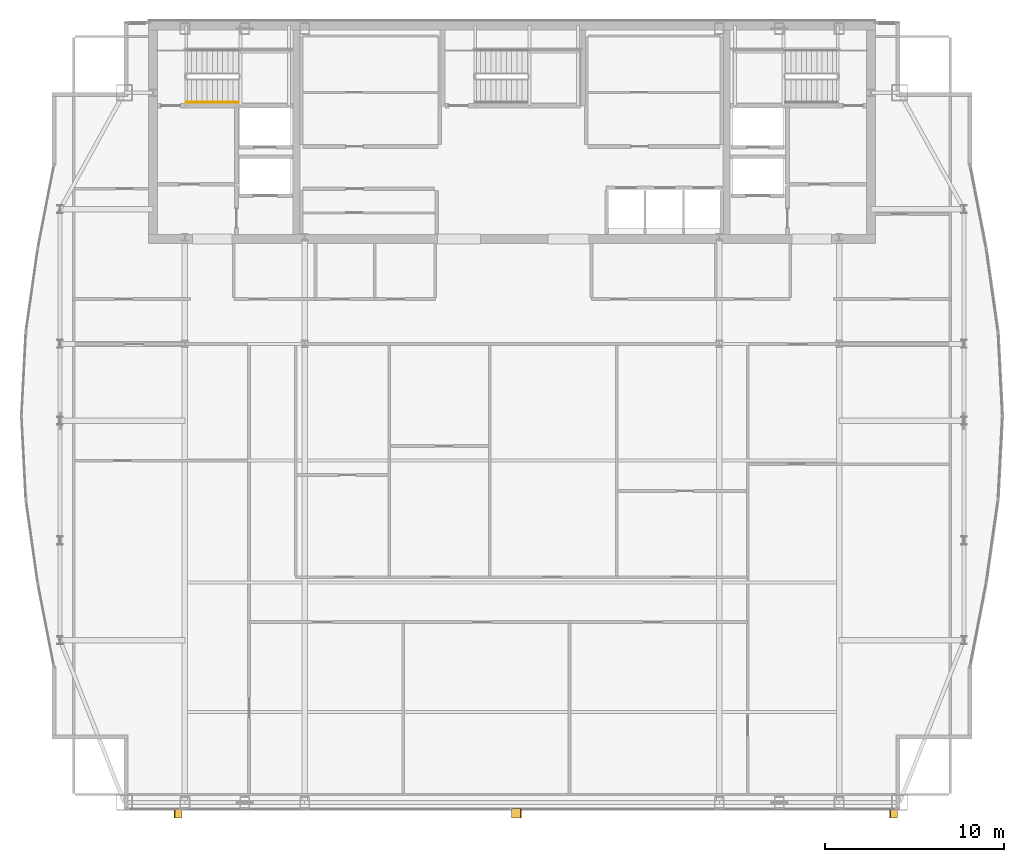
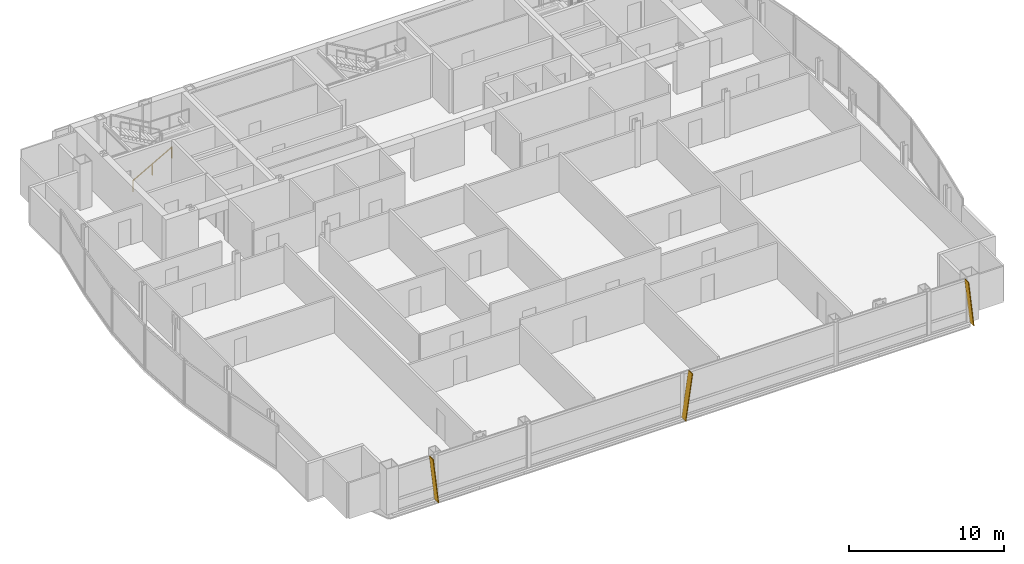
# One storey, part 26 of 27: 3 shading devices, 1 railing.
"""IFC4 building model written with IfcOpenShell, lengths in metres."""

from ifc_helpers import new_model, si_unit, direction, frame, origin, origin_2d, place, context, subcontext, project, spatial, polyline, rectangle, outline, extrude, material, layer, layer_set, type_object, element, save


model = new_model("IFC4")

# Units and contexts
model_context = context("Model", 3, precision=1e-05, world=origin(), true_north=direction((0.0, 1.0)))
body_context = subcontext(model_context, "Body", "Model", "MODEL_VIEW")
ifc_project = project(units=[si_unit("LENGTHUNIT", "METRE"), si_unit("AREAUNIT", "SQUARE_METRE"), si_unit("VOLUMEUNIT", "CUBIC_METRE"), si_unit("PLANEANGLEUNIT", "RADIAN"), si_unit("MASSUNIT", "GRAM", prefix="KILO")], contexts=[model_context])

# Site, building, storey
site_placement = place(None, origin())
site = spatial("IfcSite", under=ifc_project, at=site_placement, CompositionType="ELEMENT")
building_placement = place(site_placement, origin())
building = spatial("IfcBuilding", under=site, at=building_placement, Name="Khoronbel Lancet Exchange", CompositionType="ELEMENT")
storey_placement = place(building_placement, frame((0.0, 0.0, 332.60009765625)))
storey = spatial("IfcBuildingStorey", under=building, at=storey_placement, Name="L86", CompositionType="ELEMENT", Elevation=332.60009765625)

# Railing
ifc_material_1 = material(Name="Brushed Stainless Steel 316", Category="steel")
railing_type = type_object("IfcRailingType", Name="RL-STH92", PredefinedType="HANDRAIL", material=ifc_material_1)
railing_placement = place(storey_placement, frame((18.300048828125, 49.169921875, 0.16357421875)))
element("IfcRailing", 1, at=railing_placement, inside=storey, type_object=railing_type, Name="L86 ST1 stair handrail 1", PredefinedType="HANDRAIL", context=body_context, shape_type="SweptSolid", body=[
    extrude(rectangle(XDim=0.048095703125, YDim=0.048095703125, at=origin_2d()), frame((0.0, 0.0, 0.8759765625), z_axis=(0.870928581787, 0.0, 0.491409610636), x_axis=(0.0, 1.0, 0.0)), (0.0, 0.0, 1.0), 3.32958984375),
    extrude(rectangle(XDim=0.0419921875, YDim=0.0419921875, at=origin_2d()), origin(), (0.0, 0.0, 1.0), 0.851806640625),
    extrude(rectangle(XDim=0.0419921875, YDim=0.0419921875, at=origin_2d()), frame((1.449951171875, 0.0, 0.818115234375)), (0.0, 0.0, 1.0), 0.851806640625),
    extrude(rectangle(XDim=0.0419921875, YDim=0.0419921875, at=origin_2d()), frame((2.89990234375, 0.0, 1.63623046875)), (0.0, 0.0, 1.0), 0.851806640625),
])

# Shading devices
ifc_material_2 = material(Name="Bronze-Anodised Aluminium 6063-T6", Category="aluminium")
ifc_layer = layer(ifc_material_2, 0.054931640625, Name="Bronze-Anodised Aluminium 6063-T6")
ifc_layer_set = layer_set([ifc_layer], Name="Bronze-Anodised Aluminium 6063-T6")
shading_device_type = type_object("IfcShadingDeviceType", Name="SHD-FIN1", PredefinedType="USERDEFINED", material=ifc_layer_set)
shading_device_1_placement = place(storey_placement, frame((18.072509765625, 9.81005859375, -0.080078125), z_axis=(0.993900347655, 0.0, 0.110281906632), x_axis=(0.0, -1.0, 0.0)))
element("IfcShadingDevice", 2, at=shading_device_1_placement, inside=storey, type_object=shading_device_type, Name="Slanted bronze solar fin CW-L86-SWV-1", ObjectType="FIN", PredefinedType="USERDEFINED", context=body_context, shape_type="SweptSolid", body=[
    extrude(outline(polyline([(0.0, 0.0), (0.52001953125, 0.0), (0.52001953125, -3.581787109375), (0.0, -3.581787109375), (0.0, 0.0)])), origin(), (0.0, 0.0, -1.0), 0.054931640625),
])
shading_device_2_placement = place(storey_placement, frame((36.422607421875, 9.81005859375, -0.080078125), z_axis=(-0.990092925251, 0.0, 0.140413672296), x_axis=(0.0, -1.0, 0.0)))
element("IfcShadingDevice", 3, at=shading_device_2_placement, inside=storey, type_object=shading_device_type, Name="Slanted bronze solar fin CW-L86-SCV-1", ObjectType="FIN", PredefinedType="USERDEFINED", context=body_context, shape_type="SweptSolid", body=[
    extrude(outline(polyline([(0.0, 0.0), (0.52001953125, 0.0), (0.52001953125, 3.595703125), (0.0, 3.595703125), (0.0, 0.0)])), origin(), (0.0, 0.0, -1.0), 0.054931640625),
])
shading_device_3_placement = place(storey_placement, frame((57.9326171875, 9.81005859375, -0.080078125), z_axis=(0.993900347655, 0.0, 0.110281906632), x_axis=(0.0, -1.0, 0.0)))
element("IfcShadingDevice", 4, at=shading_device_3_placement, inside=storey, type_object=shading_device_type, Name="Slanted bronze solar fin CW-L86-SEV-1", ObjectType="FIN", PredefinedType="USERDEFINED", context=body_context, shape_type="SweptSolid", body=[
    extrude(outline(polyline([(0.0, 0.0), (0.52001953125, 0.0), (0.52001953125, -3.581787109375), (0.0, -3.581787109375), (0.0, 0.0)])), origin(), (0.0, 0.0, -1.0), 0.054931640625),
])

save(model, "model.ifc")
